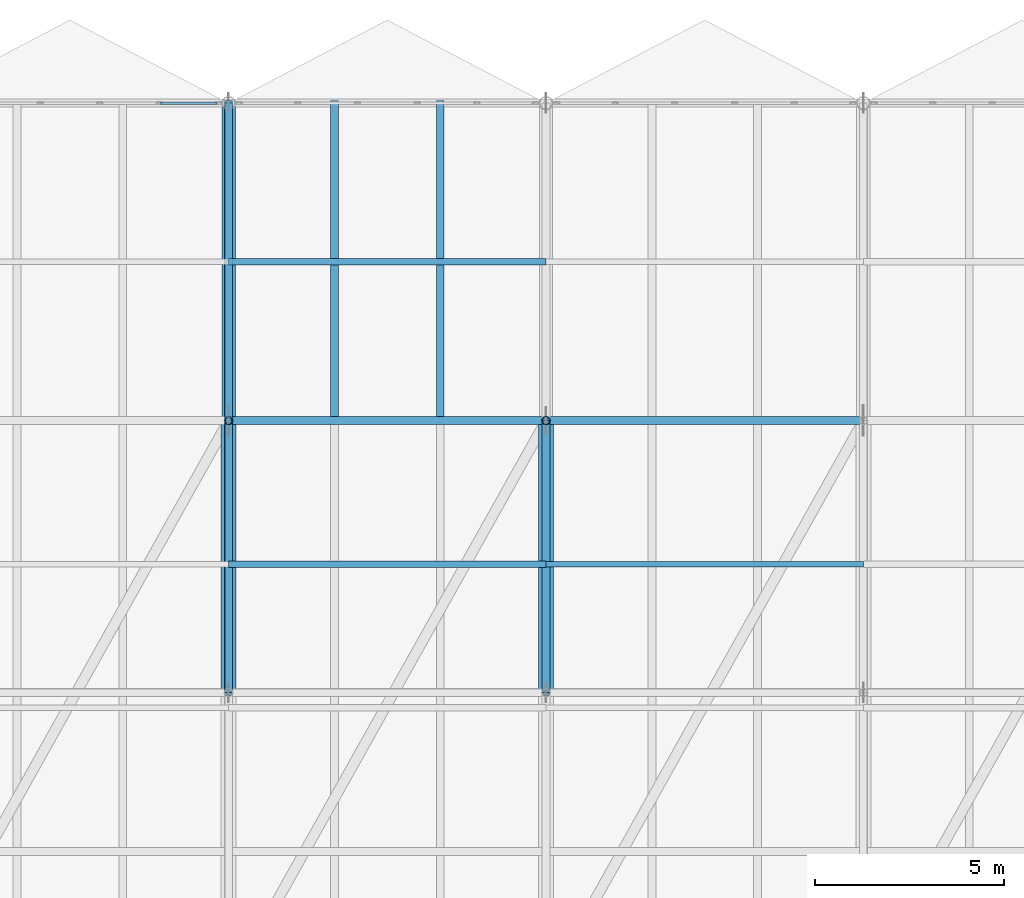
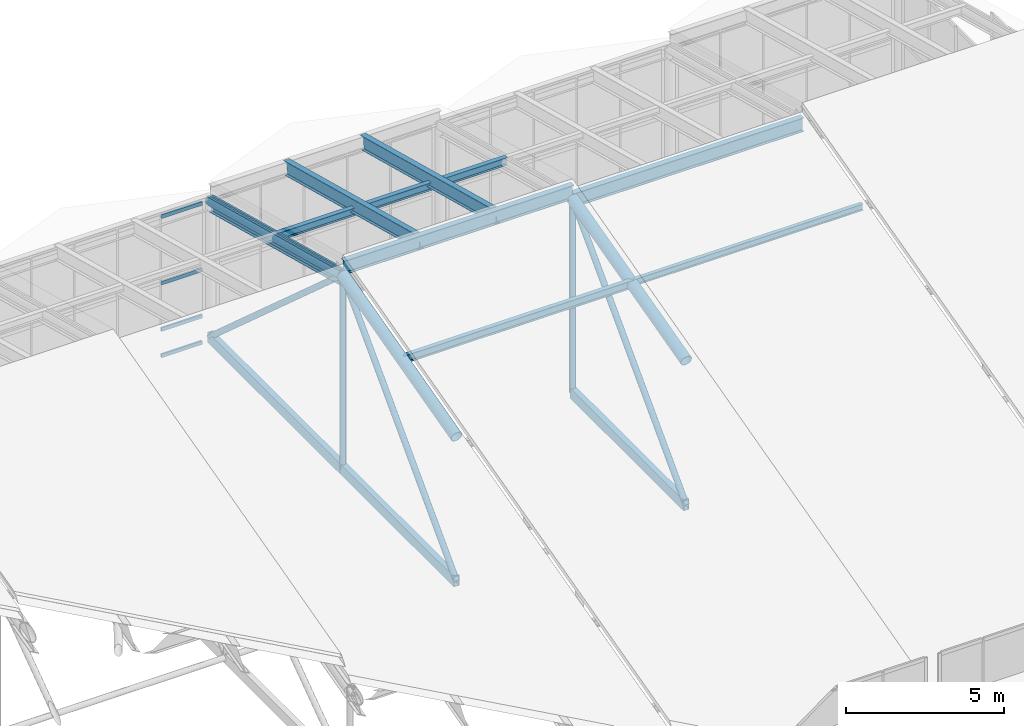
# One storey, part 29 of 43: 18 members, 5 beams, 1 element without a shape of its own.
"""IFC4 building model written with IfcOpenShell, lengths in metres."""

from ifc_helpers import new_model, si_unit, direction, frame, origin, origin_2d, place, context, subcontext, project, spatial, hollow_rectangle, hollow_circle, i_section, extrude, material, layer, layer_set, material_profile, profile_set, type_object, element, aggregate, save


model = new_model("IFC4")

# Units and contexts
model_context = context("Model", 3, precision=1e-05, world=origin(), true_north=direction((0.0, 1.0)))
body_context = subcontext(model_context, "Body", "Model", "MODEL_VIEW")
ifc_project = project(units=[si_unit("LENGTHUNIT", "METRE"), si_unit("AREAUNIT", "SQUARE_METRE"), si_unit("VOLUMEUNIT", "CUBIC_METRE"), si_unit("PLANEANGLEUNIT", "RADIAN"), si_unit("MASSUNIT", "GRAM", prefix="KILO")], contexts=[model_context])

# Site, building, storey
site_placement = place(None, origin())
site = spatial("IfcSite", under=ifc_project, at=site_placement, CompositionType="ELEMENT")
building_placement = place(site_placement, origin())
building = spatial("IfcBuilding", under=site, at=building_placement, Name="Selat Folded Stagehouse", CompositionType="ELEMENT")
storey_placement = place(building_placement, frame((0.0, 0.0, 32.39990234375)))
storey = spatial("IfcBuildingStorey", under=building, at=storey_placement, Name="RF", CompositionType="ELEMENT", Elevation=32.39990234375)

# Beams
ifc_material_1 = material(Name="Steel S355", Category="steel")
ifc_material_profile_1 = material_profile(ifc_material_1, i_section(OverallWidth=0.210693359375, OverallDepth=0.53955078125, WebThickness=0.01171875, FlangeThickness=0.018798828125, FilletRadius=0.0126953125, at=origin_2d()), Name="UKB 533x210x109")
ifc_profile_set_1 = profile_set([ifc_material_profile_1], Name="Steel S355")
beam_type_1 = type_object("IfcBeamType", Name="BM-GIRD-533x210x109", PredefinedType="BEAM", material=ifc_profile_set_1)
beam_1_placement = place(storey_placement, frame((42.0, 46.199951171875, 7.529296875), z_axis=(0.0, 0.966800633411, -0.25553186736), x_axis=(-1.0, 0.0, 0.0)))
element("IfcBeam", 1, at=beam_1_placement, inside=storey, type_object=beam_type_1, Name="RF primary north rafter beam 5", PredefinedType="BEAM", context=body_context, shape_type="SweptSolid", body=[
    extrude(i_section(OverallWidth=0.210693359375, OverallDepth=0.53955078125, WebThickness=0.01171875, FlangeThickness=0.018798828125, FilletRadius=0.0126953125, at=origin_2d()), origin(), (0.0, 0.0, 1.0), 8.688720703125),
])
ifc_material_profile_2 = material_profile(ifc_material_1, i_section(OverallWidth=0.209228515625, OverallDepth=0.533203125, WebThickness=0.010009765625, FlangeThickness=0.015625, FilletRadius=0.0126953125, at=origin_2d()), Name="UKB 533x210x92")
ifc_profile_set_2 = profile_set([ifc_material_profile_2], Name="Steel S355")
beam_type_2 = type_object("IfcBeamType", Name="BM-GIRD-533x210x92", PredefinedType="BEAM", material=ifc_profile_set_2)
beam_2_placement = place(storey_placement, frame((42.0, 46.199951171875, 7.943359375), z_axis=(1.0, 0.0, 0.0), x_axis=(0.0, 1.0, 0.0)))
element("IfcBeam", 2, at=beam_2_placement, inside=storey, type_object=beam_type_2, Name="RF bay 5 R roof bearer beam", PredefinedType="BEAM", context=body_context, shape_type="SweptSolid", body=[
    extrude(i_section(OverallWidth=0.209228515625, OverallDepth=0.533203125, WebThickness=0.010009765625, FlangeThickness=0.015625, FilletRadius=0.0126953125, at=origin_2d()), origin(), (0.0, 0.0, 1.0), 8.39990234375),
])
for number, where, z_axis, x_axis, name in (
    (3, (44.800048828125, 46.199951171875, 7.943359375), (0.0, 0.966807574904, -0.255505602889), (-1.0, 0.0, 0.0), "RF bay 5 W north sub-rafter"),
    (4, (47.60009765625, 46.199951171875, 7.943359375), (0.0, 0.966807574904, -0.255505602889), (-1.0, 0.0, 0.0), "RF bay 5 E north sub-rafter"),
):
    element("IfcBeam", number, at=place(storey_placement, frame(where, z_axis=z_axis, x_axis=x_axis)), inside=storey, type_object=beam_type_2, Name=name, PredefinedType="BEAM", context=body_context, shape_type="SweptSolid", body=[
        extrude(i_section(OverallWidth=0.209228515625, OverallDepth=0.533203125, WebThickness=0.010009765625, FlangeThickness=0.015625, FilletRadius=0.0126953125, at=origin_2d()), origin(), (0.0, 0.0, 1.0), 8.6884765625),
    ])
beam_3_placement = place(storey_placement, frame((50.39990234375, 46.199951171875, 7.60888671875), z_axis=(1.0, 0.0, 0.0), x_axis=(0.0, 1.0, 0.0)))
element("IfcBeam", 5, at=beam_3_placement, inside=storey, type_object=beam_type_2, Name="RF bay 6 R roof bearer beam", PredefinedType="BEAM", context=body_context, shape_type="SweptSolid", body=[
    extrude(i_section(OverallWidth=0.209228515625, OverallDepth=0.533203125, WebThickness=0.010009765625, FlangeThickness=0.015625, FilletRadius=0.0126953125, at=origin_2d()), origin(), (0.0, 0.0, 1.0), 8.400146484375),
])

# Curtain wall, members
ifc_material_2 = material(Name="Aluminium 6063-T6", Category="aluminium")
ifc_layer = layer(ifc_material_2, 0.169921875)
ifc_layer_set = layer_set([ifc_layer], Name="Aluminium 6063-T6")
curtain_wall_type = type_object("IfcCurtainWallType", Name="CW-CRN-CLER", PredefinedType="NOTDEFINED", material=ifc_layer_set)
curtain_wall_placement = place(storey_placement, origin())
curtain_wall = element("IfcCurtainWall", 6, at=curtain_wall_placement, inside=storey, type_object=curtain_wall_type, Name="RF curtain wall CW-RF-N-03", PredefinedType="NOTDEFINED")
ifc_material_profile_3 = material_profile(ifc_material_2, hollow_rectangle(XDim=0.06494140625, YDim=0.139892578125, WallThickness=0.00390625, at=origin_2d()), Name="ALU 140x65x4.0")
ifc_profile_set_3 = profile_set([ifc_material_profile_3], Name="Aluminium 6063-T6")
member_type_1 = type_object("IfcMemberType", Name="CWM-TRN-140x65", PredefinedType="USERDEFINED", material=ifc_profile_set_3)
member_1_placement = place(storey_placement, frame((40.199951171875, 54.60009765625, 0.03271484375), z_axis=(1.0, 0.0, 0.0), x_axis=(0.0, 1.0, 0.0)))
member_1 = element("IfcMember", 7, at=member_1_placement, type_object=member_type_1, Name="CW-09 transom 5.1", ObjectType="TRANSOM", PredefinedType="USERDEFINED", context=body_context, shape_type="SweptSolid", body=[
    extrude(hollow_rectangle(XDim=0.06494140625, YDim=0.139892578125, WallThickness=0.00390625, at=origin_2d()), origin(), (0.0, 0.0, 1.0), 1.489990234375),
])
member_2_placement = place(storey_placement, frame((40.199951171875, 54.60009765625, 1.050048828125), z_axis=(1.0, 0.0, 0.0), x_axis=(0.0, 1.0, 0.0)))
member_2 = element("IfcMember", 8, at=member_2_placement, type_object=member_type_1, Name="CW-09 transom 5.2", ObjectType="TRANSOM", PredefinedType="USERDEFINED", context=body_context, shape_type="SweptSolid", body=[
    extrude(hollow_rectangle(XDim=0.06494140625, YDim=0.139892578125, WallThickness=0.00390625, at=origin_2d()), origin(), (0.0, 0.0, 1.0), 1.489990234375),
])
member_3_placement = place(storey_placement, frame((40.199951171875, 54.60009765625, 2.85009765625), z_axis=(1.0, 0.0, 0.0), x_axis=(0.0, 1.0, 0.0)))
member_3 = element("IfcMember", 9, at=member_3_placement, type_object=member_type_1, Name="CW-09 transom 5.3", ObjectType="TRANSOM", PredefinedType="USERDEFINED", context=body_context, shape_type="SweptSolid", body=[
    extrude(hollow_rectangle(XDim=0.06494140625, YDim=0.139892578125, WallThickness=0.00390625, at=origin_2d()), origin(), (0.0, 0.0, 1.0), 1.489990234375),
])
member_4_placement = place(storey_placement, frame((40.199951171875, 54.60009765625, 5.41748046875), z_axis=(1.0, 0.0, 0.0), x_axis=(0.0, 1.0, 0.0)))
member_4 = element("IfcMember", 10, at=member_4_placement, type_object=member_type_1, Name="CW-09 transom 5.4", ObjectType="TRANSOM", PredefinedType="USERDEFINED", context=body_context, shape_type="SweptSolid", body=[
    extrude(hollow_rectangle(XDim=0.06494140625, YDim=0.139892578125, WallThickness=0.00390625, at=origin_2d()), origin(), (0.0, 0.0, 1.0), 1.489990234375),
])
aggregate(curtain_wall, [member_1, member_2, member_3, member_4])

# Members
ifc_material_profile_4 = material_profile(ifc_material_1, hollow_circle(Radius=0.109619140625, WallThickness=0.010009765625, at=origin_2d()), Name="CHS 219.1x10.0")
ifc_profile_set_4 = profile_set([ifc_material_profile_4], Name="Steel S355")
member_type_2 = type_object("IfcMemberType", Name="MEM-BRACE-CHS219", PredefinedType="BRACE", material=ifc_profile_set_4)
member_5_placement = place(storey_placement, frame((42.0, 39.0, 0.150146484375), z_axis=(0.0, 0.693597845088, 0.720362429121), x_axis=(-1.0, 0.0, 0.0)))
element("IfcMember", 11, at=member_5_placement, inside=storey, type_object=member_type_2, Name="Folded-plate web diagonal 5.3", PredefinedType="BRACE", context=body_context, shape_type="SweptSolid", body=[
    extrude(hollow_circle(Radius=0.109619140625, WallThickness=0.010009765625, at=origin_2d()), origin(), (0.0, 0.0, 1.0), 10.380615234375),
])
member_6_placement = place(storey_placement, frame((42.0, 46.199951171875, 7.6279296875), z_axis=(0.0, 0.746924046978, -0.664909368294), x_axis=(-1.0, 0.0, 0.0)))
element("IfcMember", 12, at=member_6_placement, inside=storey, type_object=member_type_2, Name="Folded-plate web diagonal 5.4", PredefinedType="BRACE", context=body_context, shape_type="SweptSolid", body=[
    extrude(hollow_circle(Radius=0.109619140625, WallThickness=0.010009765625, at=origin_2d()), origin(), (0.0, 0.0, 1.0), 11.246337890625),
])
member_7_placement = place(storey_placement, frame((50.39990234375, 39.0, 0.150146484375), z_axis=(0.0, 0.693597845088, 0.720362429121), x_axis=(-1.0, 0.0, 0.0)))
element("IfcMember", 13, at=member_7_placement, inside=storey, type_object=member_type_2, Name="Folded-plate web diagonal 6.3", PredefinedType="BRACE", context=body_context, shape_type="SweptSolid", body=[
    extrude(hollow_circle(Radius=0.109619140625, WallThickness=0.010009765625, at=origin_2d()), origin(), (0.0, 0.0, 1.0), 10.380615234375),
])
ifc_material_profile_5 = material_profile(ifc_material_1, hollow_circle(Radius=0.177734375, WallThickness=0.01611328125, at=origin_2d()), Name="CHS 355.6x16.0")
ifc_profile_set_5 = profile_set([ifc_material_profile_5], Name="Steel S355")
member_type_3 = type_object("IfcMemberType", Name="MEM-CHORD-CHS355", PredefinedType="CHORD", material=ifc_profile_set_5)
member_8_placement = place(storey_placement, frame((42.0, 46.199951171875, 7.6279296875), z_axis=(0.0, 0.966807574904, -0.255505602889), x_axis=(-1.0, 0.0, 0.0)))
element("IfcMember", 14, at=member_8_placement, inside=storey, type_object=member_type_3, Name="Folded-plate top chord 5.4", PredefinedType="CHORD", context=body_context, shape_type="SweptSolid", body=[
    extrude(hollow_circle(Radius=0.177734375, WallThickness=0.01611328125, at=origin_2d()), origin(), (0.0, 0.0, 1.0), 8.6884765625),
])
ifc_material_profile_6 = material_profile(ifc_material_1, hollow_circle(Radius=0.203125, WallThickness=0.01611328125, at=origin_2d()), Name="CHS 406.4x16.0")
ifc_profile_set_6 = profile_set([ifc_material_profile_6], Name="Steel S355")
member_type_4 = type_object("IfcMemberType", Name="MEM-CHORD-CHS406", PredefinedType="CHORD", material=ifc_profile_set_6)
for number, where, z_axis, x_axis, name in (
    (15, (42.0, 39.0, 5.72607421875), (0.0, 0.966838433119, 0.255388809942), (-1.0, 0.0, 0.0), "Folded-plate top chord 5.3"),
    (16, (50.39990234375, 39.0, 5.72607421875), (0.0, 0.966838433119, 0.255388809942), (-1.0, 0.0, 0.0), "Folded-plate top chord 6.3"),
):
    element("IfcMember", number, at=place(storey_placement, frame(where, z_axis=z_axis, x_axis=x_axis)), inside=storey, type_object=member_type_4, Name=name, PredefinedType="CHORD", context=body_context, shape_type="SweptSolid", body=[
        extrude(hollow_circle(Radius=0.203125, WallThickness=0.01611328125, at=origin_2d()), origin(), (0.0, 0.0, 1.0), 7.447021484375),
    ])
ifc_material_profile_7 = material_profile(ifc_material_1, hollow_rectangle(XDim=0.199951171875, YDim=0.39990234375, WallThickness=0.012451171875, at=origin_2d()), Name="RHS 400x200x12.5")
ifc_profile_set_7 = profile_set([ifc_material_profile_7], Name="Steel S355")
member_type_5 = type_object("IfcMemberType", Name="MEM-CHORD-RHS400", PredefinedType="CHORD", material=ifc_profile_set_7)
member_9_placement = place(storey_placement, frame((42.0, 39.0, 0.150146484375), z_axis=(0.0, 1.0, 0.0), x_axis=(-1.0, 0.0, 0.0)))
element("IfcMember", 17, at=member_9_placement, inside=storey, type_object=member_type_5, Name="Folded-plate bottom tie 5.3", PredefinedType="CHORD", context=body_context, shape_type="SweptSolid", body=[
    extrude(hollow_rectangle(XDim=0.199951171875, YDim=0.39990234375, WallThickness=0.012451171875, at=origin_2d()), origin(), (0.0, 0.0, 1.0), 7.199951171875),
])
member_10_placement = place(storey_placement, frame((42.0, 46.199951171875, 0.150146484375), z_axis=(0.0, 1.0, 0.0), x_axis=(-1.0, 0.0, 0.0)))
element("IfcMember", 18, at=member_10_placement, inside=storey, type_object=member_type_5, Name="Folded-plate bottom tie 5.4", PredefinedType="CHORD", context=body_context, shape_type="SweptSolid", body=[
    extrude(hollow_rectangle(XDim=0.199951171875, YDim=0.39990234375, WallThickness=0.012451171875, at=origin_2d()), origin(), (0.0, 0.0, 1.0), 8.400146484375),
])
member_11_placement = place(storey_placement, frame((50.39990234375, 39.0, 0.150146484375), z_axis=(0.0, 1.0, 0.0), x_axis=(-1.0, 0.0, 0.0)))
element("IfcMember", 19, at=member_11_placement, inside=storey, type_object=member_type_5, Name="Folded-plate bottom tie 6.3", PredefinedType="CHORD", context=body_context, shape_type="SweptSolid", body=[
    extrude(hollow_rectangle(XDim=0.199951171875, YDim=0.39990234375, WallThickness=0.012451171875, at=origin_2d()), origin(), (0.0, 0.0, 1.0), 7.199951171875),
])
ifc_material_profile_8 = material_profile(ifc_material_1, hollow_circle(Radius=0.109619140625, WallThickness=0.010009765625, at=origin_2d()), Name="CHS 219.1x10.0")
ifc_profile_set_8 = profile_set([ifc_material_profile_8], Name="Steel S355")
member_type_6 = type_object("IfcMemberType", Name="MEM-POST-CHS219", PredefinedType="POST", material=ifc_profile_set_8)
for number, where, z_axis, x_axis, name in (
    (20, (42.0, 46.199951171875, 0.150146484375), (0.0, 0.0, 1.0), (1.0, 0.0, 0.0), "Folded-plate truss post 5.3"),
    (21, (50.39990234375, 46.199951171875, 0.150146484375), (0.0, 0.0, 1.0), (1.0, 0.0, 0.0), "Folded-plate truss post 6.3"),
):
    element("IfcMember", number, at=place(storey_placement, frame(where, z_axis=z_axis, x_axis=x_axis)), inside=storey, type_object=member_type_6, Name=name, PredefinedType="POST", context=body_context, shape_type="SweptSolid", body=[
        extrude(hollow_circle(Radius=0.109619140625, WallThickness=0.010009765625, at=origin_2d()), origin(), (0.0, 0.0, 1.0), 7.477783203125),
    ])
ifc_material_profile_9 = material_profile(ifc_material_1, i_section(OverallWidth=0.14599609375, OverallDepth=0.25146484375, WebThickness=0.006103515625, FlangeThickness=0.008544921875, FilletRadius=0.007568359375, at=origin_2d()), Name="UKB 254x146x31")
ifc_profile_set_9 = profile_set([ifc_material_profile_9], Name="Steel S355")
member_type_7 = type_object("IfcMemberType", Name="MEM-PURLIN-UKB254", PredefinedType="PURLIN", material=ifc_profile_set_9)
member_12_placement = place(storey_placement, frame((50.39990234375, 42.39990234375, 6.704345703125), z_axis=(1.0, 0.0, 0.0), x_axis=(0.0, 1.0, 0.0)))
element("IfcMember", 22, at=member_12_placement, inside=storey, type_object=member_type_7, Name="Folded-plate roof purlin bay 6.4", PredefinedType="PURLIN", context=body_context, shape_type="SweptSolid", body=[
    extrude(i_section(OverallWidth=0.14599609375, OverallDepth=0.25146484375, WebThickness=0.006103515625, FlangeThickness=0.008544921875, FilletRadius=0.007568359375, at=origin_2d()), origin(), (0.0, 0.0, 1.0), 8.400146484375),
])
ifc_material_profile_10 = material_profile(ifc_material_1, i_section(OverallWidth=0.1650390625, OverallDepth=0.303466796875, WebThickness=0.006103515625, FlangeThickness=0.01025390625, FilletRadius=0.0087890625, at=origin_2d()), Name="UKB 305x165x40")
ifc_profile_set_10 = profile_set([ifc_material_profile_10], Name="Steel S355")
member_type_8 = type_object("IfcMemberType", Name="MEM-PURLIN-UKB305", PredefinedType="PURLIN", material=ifc_profile_set_10)
for number, where, z_axis, x_axis, name in (
    (23, (42.0, 42.39990234375, 6.677490234375), (1.0, 0.0, 0.0), (0.0, 1.0, 0.0), "Folded-plate roof purlin bay 5.4"),
    (24, (42.0, 50.39990234375, 6.5712890625), (1.0, 0.0, 0.0), (0.0, 1.0, 0.0), "Folded-plate roof purlin bay 5.5"),
):
    element("IfcMember", number, at=place(storey_placement, frame(where, z_axis=z_axis, x_axis=x_axis)), inside=storey, type_object=member_type_8, Name=name, PredefinedType="PURLIN", context=body_context, shape_type="SweptSolid", body=[
        extrude(i_section(OverallWidth=0.1650390625, OverallDepth=0.303466796875, WebThickness=0.006103515625, FlangeThickness=0.01025390625, FilletRadius=0.0087890625, at=origin_2d()), origin(), (0.0, 0.0, 1.0), 8.39990234375),
    ])

save(model, "model.ifc")
